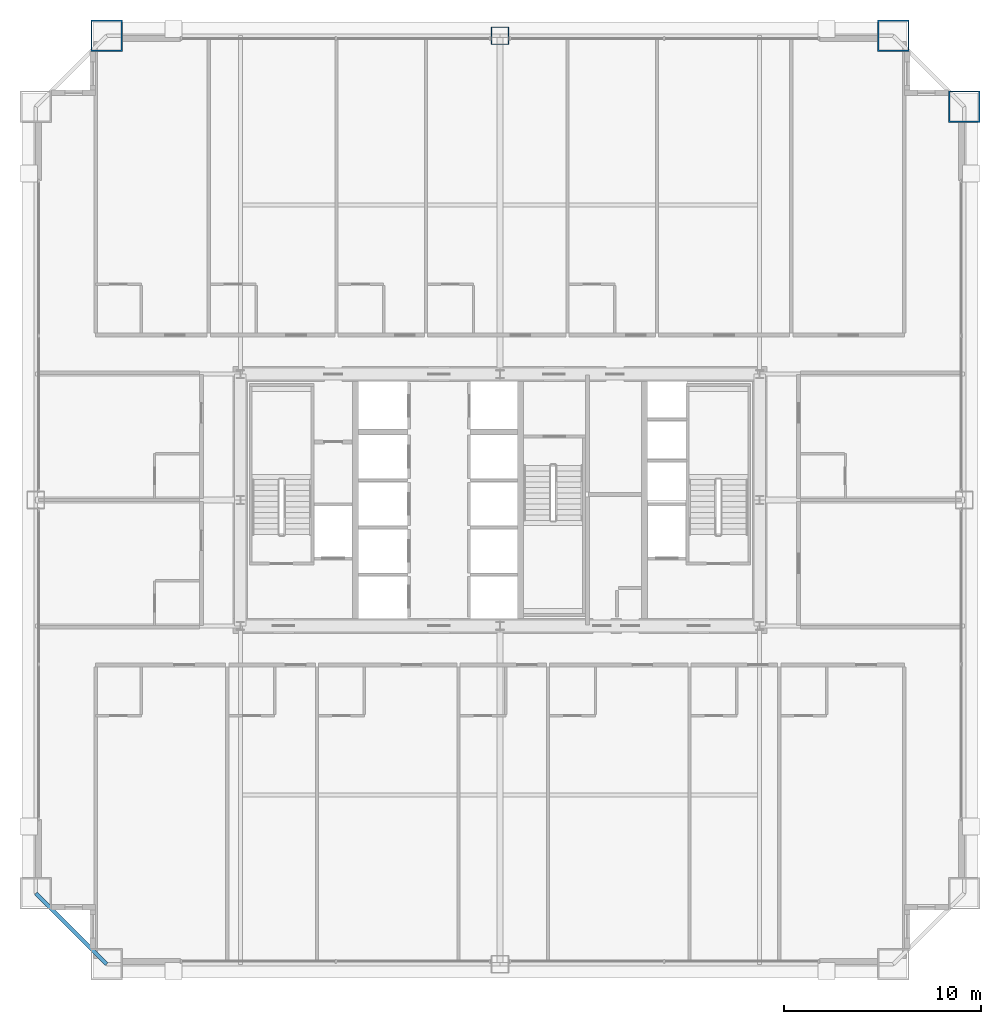
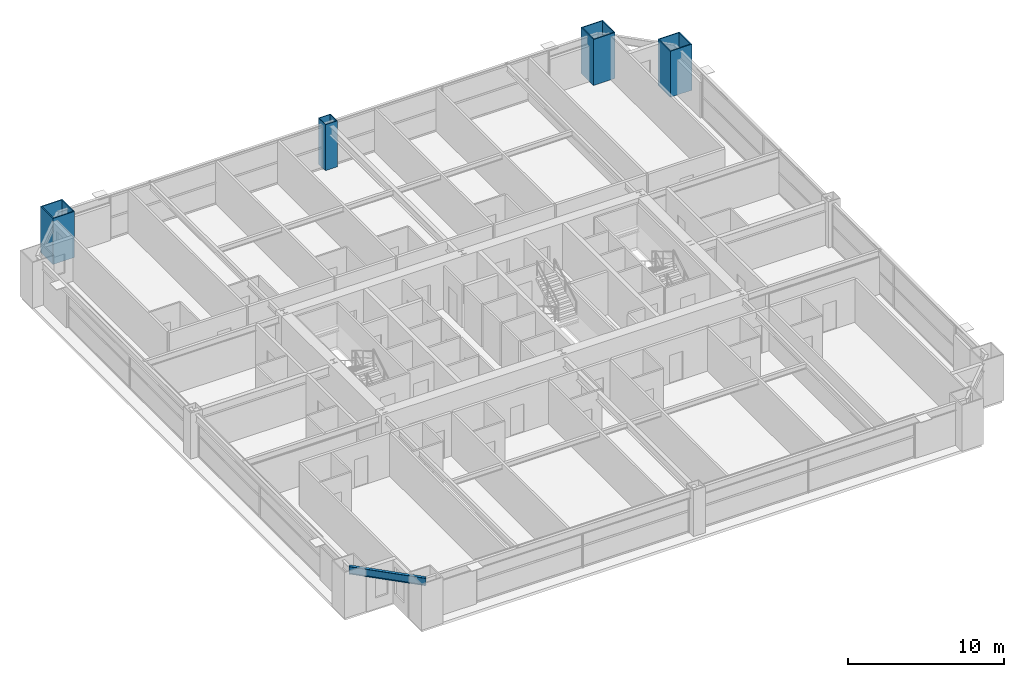
# One storey, part 2 of 38: 4 columns, 1 beam.
"""IFC4 building model written with IfcOpenShell, lengths in metres."""

from ifc_helpers import new_model, si_unit, direction, frame, origin, origin_2d, place, context, subcontext, project, spatial, hollow_rectangle, i_section, extrude, source, transform, mapped, material, material_profile, profile_set, type_object, element, save


model = new_model("IFC4")

# Units and contexts
model_context = context("Model", 3, precision=1e-05, world=origin(), true_north=direction((0.0, 1.0)))
body_context = subcontext(model_context, "Body", "Model", "MODEL_VIEW")
ifc_project = project(units=[si_unit("LENGTHUNIT", "METRE"), si_unit("AREAUNIT", "SQUARE_METRE"), si_unit("VOLUMEUNIT", "CUBIC_METRE"), si_unit("PLANEANGLEUNIT", "RADIAN"), si_unit("MASSUNIT", "GRAM", prefix="KILO"), si_unit("THERMODYNAMICTEMPERATUREUNIT", "KELVIN"), si_unit("POWERUNIT", "WATT")], contexts=[model_context])

# Site, building, storey
site_placement = place(None, origin())
site = spatial("IfcSite", under=ifc_project, at=site_placement, CompositionType="ELEMENT")
building_placement = place(site_placement, origin())
building = spatial("IfcBuilding", under=site, at=building_placement, Name="Yuzanri Waterfront Tower", CompositionType="ELEMENT")
storey_placement = place(building_placement, frame((0.0, 0.0, 97.39990234375)))
storey = spatial("IfcBuildingStorey", under=building, at=storey_placement, Name="L25", CompositionType="ELEMENT", Elevation=97.39990234375)

# Columns
ifc_material_1 = material(Name="Steel Q390GJC", Category="steel")
ifc_material_profile_1 = material_profile(ifc_material_1, hollow_rectangle(XDim=0.89990234375, YDim=0.89990234375, WallThickness=0.0419921875, at=origin_2d()), Name="RHS 900x900x42")
ifc_profile_set_1 = profile_set([ifc_material_profile_1], Name="Steel Q390GJC")
column_type_1 = type_object("IfcColumnType", Name="Frame Column Q390GJC RHS 900x900x42", PredefinedType="COLUMN", material=ifc_profile_set_1)
shared_shape_1 = source(origin(), body_context, "Body", "SweptSolid", [
    extrude(hollow_rectangle(XDim=0.89990234375, YDim=0.89990234375, WallThickness=0.0419921875, at=origin_2d()), origin(), (0.0, 0.0, 1.0), 3.60009765625),
])
column_placement = place(storey_placement, frame((37.0, 49.39990234375, 0.0), z_axis=(0.0, 0.0, 1.0), x_axis=(1.0, 0.0, 0.0)))
element("IfcColumn", 1, at=column_placement, inside=storey, type_object=column_type_1, Name="L25 Perimeter Frame Column N2", PredefinedType="COLUMN", context=body_context, shape_type="MappedRepresentation", body=[
    mapped(shared_shape_1, transform((0.0, 0.0, 0.0), scale=1.0)),
])
ifc_material_2 = material(Name="Steel Q420GJC", Category="steel")
ifc_material_profile_2 = material_profile(ifc_material_2, hollow_rectangle(XDim=1.60009765625, YDim=1.60009765625, WallThickness=0.070068359375, at=origin_2d()), Name="RHS 1600x1600x70")
ifc_profile_set_2 = profile_set([ifc_material_profile_2], Name="Steel Q420GJC")
column_type_2 = type_object("IfcColumnType", Name="Mega Column Q420GJC RHS 1600x1600x70", PredefinedType="COLUMN", material=ifc_profile_set_2)
shared_shape_2 = source(origin(), body_context, "Body", "SweptSolid", [
    extrude(hollow_rectangle(XDim=1.60009765625, YDim=1.60009765625, WallThickness=0.070068359375, at=origin_2d()), origin(), (0.0, 0.0, 1.0), 3.60009765625),
])
for number, where, z_axis, x_axis, name in (
    (2, (17.0, 49.39990234375, 0.0), (0.0, 0.0, 1.0), (1.0, 0.0, 0.0), "L25 Perimeter Mega Column N1"),
    (3, (57.0, 49.39990234375, 0.0), (0.0, 0.0, 1.0), (1.0, 0.0, 0.0), "L25 Perimeter Mega Column N3"),
    (4, (60.60009765625, 45.800048828125, 0.0), (0.0, 0.0, 1.0), (1.0, 0.0, 0.0), "L25 Perimeter Mega Column E3"),
):
    element("IfcColumn", number, at=place(storey_placement, frame(where, z_axis=z_axis, x_axis=x_axis)), inside=storey, type_object=column_type_2, Name=name, PredefinedType="COLUMN", context=body_context, shape_type="MappedRepresentation", body=[
        mapped(shared_shape_2, transform((0.0, 0.0, 0.0), scale=1.0)),
    ])

# Beam
ifc_material_3 = material(Name="Steel Q355B", Category="steel")
ifc_material_profile_3 = material_profile(ifc_material_3, i_section(OverallWidth=0.199951171875, OverallDepth=0.60009765625, WebThickness=0.010986328125, FlangeThickness=0.01708984375, at=origin_2d()), Name="HN 600x200x11x17")
ifc_profile_set_3 = profile_set([ifc_material_profile_3], Name="Steel Q355B")
beam_type = type_object("IfcBeamType", Name="Perimeter Spandrel Q355B HN 600x200", PredefinedType="SPANDREL", material=ifc_profile_set_3)
shared_shape_3 = source(origin(), body_context, "Body", "SweptSolid", [
    extrude(i_section(OverallWidth=0.199951171875, OverallDepth=0.60009765625, WebThickness=0.010986328125, FlangeThickness=0.01708984375, at=origin_2d()), origin(), (0.0, 0.0, 1.0), 5.09130859375),
])
beam_placement = place(storey_placement, frame((13.39990234375, 5.800048828125, 3.080078125), z_axis=(0.707106781187, -0.707106781187, 0.0), x_axis=(0.707106781187, 0.707106781187, 0.0)))
element("IfcBeam", 5, at=beam_placement, inside=storey, type_object=beam_type, Name="L25 Perimeter Spandrel W1-S1", PredefinedType="SPANDREL", context=body_context, shape_type="MappedRepresentation", body=[
    mapped(shared_shape_3, transform((0.0, 0.0, 0.0), scale=1.0)),
])

save(model, "model.ifc")
